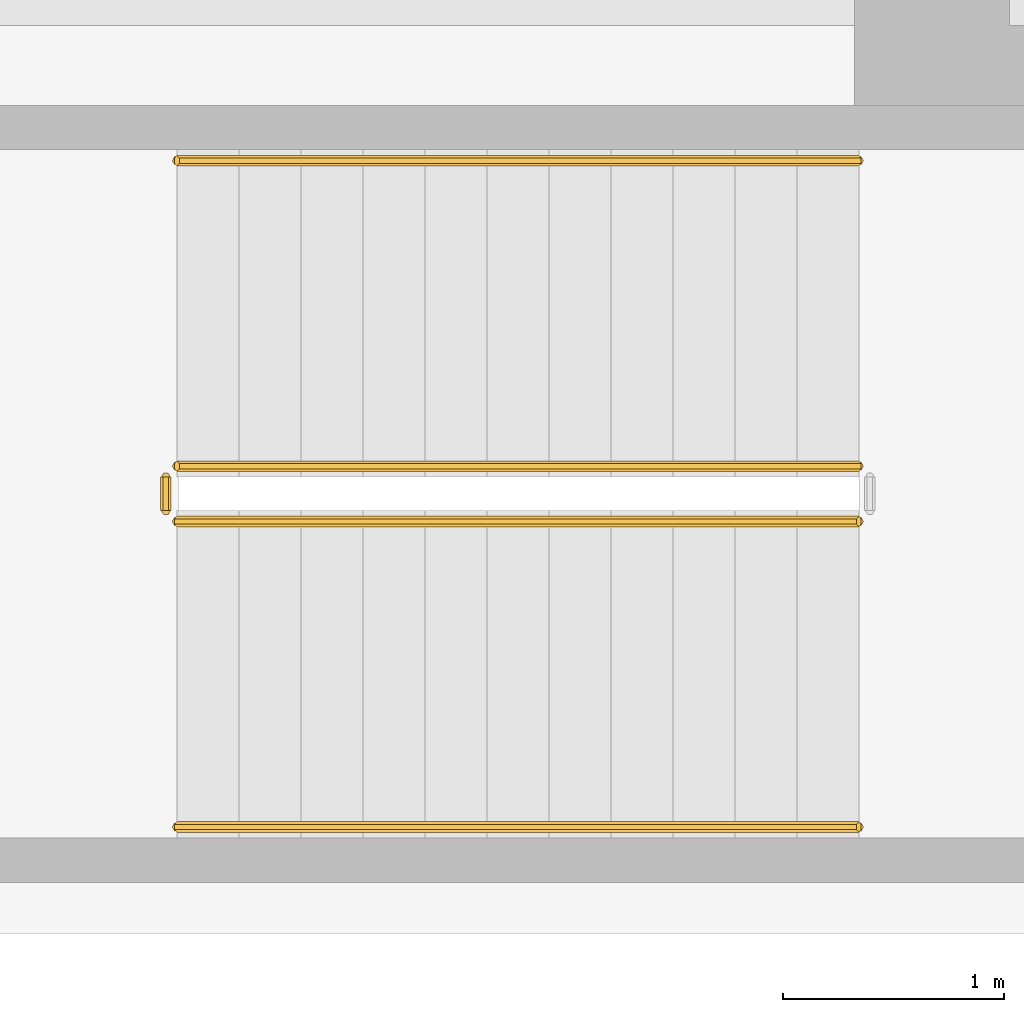
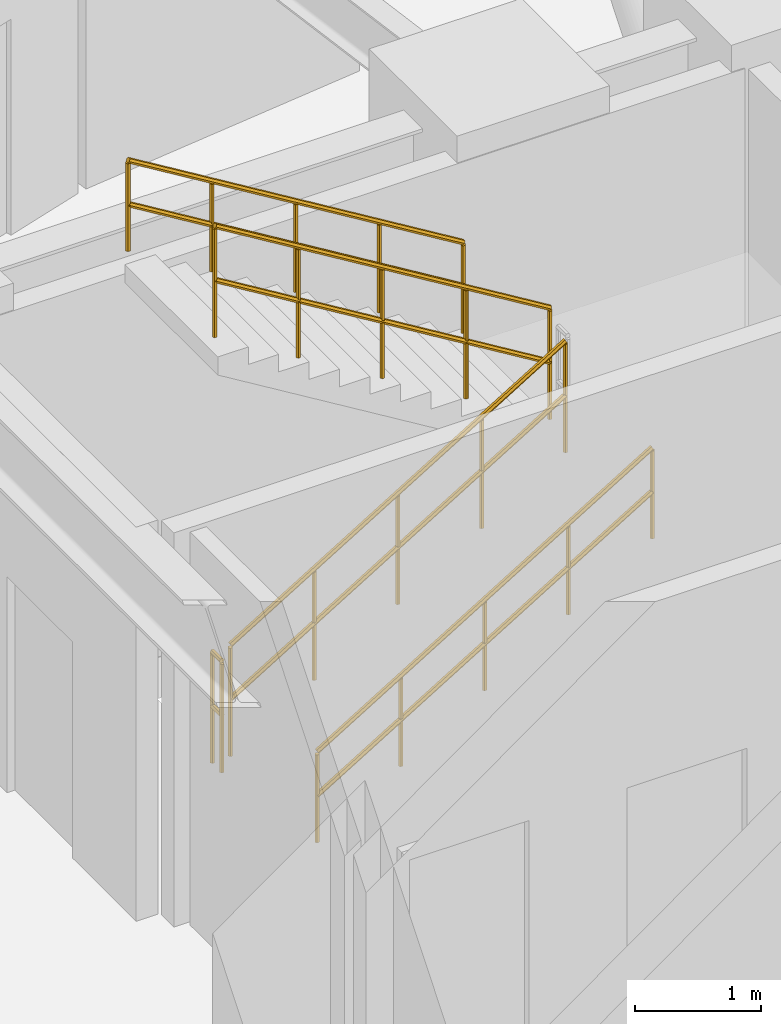
# One storey, part 8 of 10: 5 railings.
"""IFC4 building model written with IfcOpenShell, lengths in metres."""

from ifc_helpers import new_model, si_unit, direction, frame, origin, place, context, subcontext, project, spatial, polyline, outline, extrude, material, type_object, element, save


model = new_model("IFC4")

# Units and contexts
model_context = context("Model", 3, precision=1e-05, world=origin(), true_north=direction((0.0, 1.0)))
body_context = subcontext(model_context, "Body", "Model", "MODEL_VIEW")
ifc_project = project(units=[si_unit("LENGTHUNIT", "METRE"), si_unit("AREAUNIT", "SQUARE_METRE"), si_unit("VOLUMEUNIT", "CUBIC_METRE"), si_unit("PLANEANGLEUNIT", "RADIAN"), si_unit("MASSUNIT", "GRAM", prefix="KILO")], contexts=[model_context])

# Site, building, storey
site_placement = place(None, origin())
site = spatial("IfcSite", under=ifc_project, at=site_placement, CompositionType="ELEMENT")
building_placement = place(site_placement, origin())
building = spatial("IfcBuilding", under=site, at=building_placement, Name="Kelanora Arch Commons", CompositionType="ELEMENT")
storey_placement = place(building_placement, frame((0.0, 0.0, 72.260009765625)))
storey = spatial("IfcBuildingStorey", under=building, at=storey_placement, Name="L18", CompositionType="ELEMENT", Elevation=72.260009765625)

# Railings
ifc_material_1 = material(Name="Painted steel stair well guard", Category="steel")
railing_type_1 = type_object("IfcRailingType", Name="RAIL-STAIR-GRD", PredefinedType="GUARDRAIL", material=ifc_material_1)
railing_1_placement = place(storey_placement, frame((67.719970703125, 62.610107421875, 0.17041015625)))
element("IfcRailing", 1, at=railing_1_placement, inside=storey, type_object=railing_type_1, Name="L18 ST-T1 stair guard 1", PredefinedType="GUARDRAIL", context=body_context, shape_type="SweptSolid", body=[
    extrude(outline(polyline([(0.02392578125, 0.0), (0.011962890625, 0.020751953125), (-0.011962890625, 0.020751953125), (-0.02392578125, 0.0), (-0.011962890625, -0.020751953125), (0.011962890625, -0.020751953125), (0.02392578125, 0.0)])), frame((0.0, 0.0, 1.076171875), z_axis=(0.854237778674, 0.0, 0.51988250354), x_axis=(0.0, 1.0, 0.0)), (0.0, 0.0, 1.0), 3.605712890625),
    extrude(outline(polyline([(0.02392578125, 0.0), (0.011962890625, 0.020751953125), (-0.011962890625, 0.020751953125), (-0.02392578125, 0.0), (-0.011962890625, -0.020751953125), (0.011962890625, -0.020751953125), (0.02392578125, 0.0)])), frame((0.0, 0.0, 0.550048828125), z_axis=(0.854237778674, 0.0, 0.51988250354), x_axis=(0.0, 1.0, 0.0)), (0.0, 0.0, 1.0), 3.605712890625),
    extrude(outline(polyline([(0.02099609375, 0.0), (0.010498046875, 0.01806640625), (-0.010498046875, 0.01806640625), (-0.02099609375, 0.0), (-0.010498046875, -0.01806640625), (0.010498046875, -0.01806640625), (0.02099609375, 0.0)])), origin(), (0.0, 0.0, 1.0), 1.052001953125),
    extrude(outline(polyline([(0.02099609375, 0.0), (0.010498046875, 0.01806640625), (-0.010498046875, 0.01806640625), (-0.02099609375, 0.0), (-0.010498046875, -0.01806640625), (0.010498046875, -0.01806640625), (0.02099609375, 0.0)])), frame((0.77001953125, 0.0, 0.46875)), (0.0, 0.0, 1.0), 1.052001953125),
    extrude(outline(polyline([(0.02099609375, 0.0), (0.010498046875, 0.01806640625), (-0.010498046875, 0.01806640625), (-0.02099609375, 0.0), (-0.010498046875, -0.01806640625), (0.010498046875, -0.01806640625), (0.02099609375, 0.0)])), frame((1.5400390625, 0.0, 0.937255859375)), (0.0, 0.0, 1.0), 1.052001953125),
    extrude(outline(polyline([(0.02099609375, 0.0), (0.010498046875, 0.01806640625), (-0.010498046875, 0.01806640625), (-0.02099609375, 0.0), (-0.010498046875, -0.01806640625), (0.010498046875, -0.01806640625), (0.02099609375, 0.0)])), frame((2.31005859375, 0.0, 1.40576171875)), (0.0, 0.0, 1.0), 1.052001953125),
    extrude(outline(polyline([(0.02099609375, 0.0), (0.010498046875, 0.01806640625), (-0.010498046875, 0.01806640625), (-0.02099609375, 0.0), (-0.010498046875, -0.01806640625), (0.010498046875, -0.01806640625), (0.02099609375, 0.0)])), frame((3.080078125, 0.0, 1.87451171875)), (0.0, 0.0, 1.0), 1.052001953125),
])
railing_2_placement = place(storey_placement, frame((70.800048828125, 62.860107421875, 2.21533203125)))
element("IfcRailing", 2, at=railing_2_placement, inside=storey, type_object=railing_type_1, Name="L18 ST-T1 stair guard 3", PredefinedType="GUARDRAIL", context=body_context, shape_type="SweptSolid", body=[
    extrude(outline(polyline([(0.02392578125, 0.0), (0.011962890625, 0.020751953125), (-0.011962890625, 0.020751953125), (-0.02392578125, 0.0), (-0.011962890625, -0.020751953125), (0.011962890625, -0.020751953125), (0.02392578125, 0.0)])), frame((0.0, 0.0, 1.076171875), z_axis=(-0.854207707774, 0.0, 0.519931910907), x_axis=(0.0, -1.0, 0.0)), (0.0, 0.0, 1.0), 3.605712890625),
    extrude(outline(polyline([(0.02392578125, 0.0), (0.011962890625, 0.020751953125), (-0.011962890625, 0.020751953125), (-0.02392578125, 0.0), (-0.011962890625, -0.020751953125), (0.011962890625, -0.020751953125), (0.02392578125, 0.0)])), frame((0.0, 0.0, 0.550048828125), z_axis=(-0.854207707774, 0.0, 0.519931910907), x_axis=(0.0, -1.0, 0.0)), (0.0, 0.0, 1.0), 3.605712890625),
    extrude(outline(polyline([(0.02099609375, 0.0), (0.010498046875, 0.01806640625), (-0.010498046875, 0.01806640625), (-0.02099609375, 0.0), (-0.010498046875, -0.01806640625), (0.010498046875, -0.01806640625), (0.02099609375, 0.0)])), origin(), (0.0, 0.0, 1.0), 1.052001953125),
    extrude(outline(polyline([(0.02099609375, 0.0), (0.010498046875, 0.01806640625), (-0.010498046875, 0.01806640625), (-0.02099609375, 0.0), (-0.010498046875, -0.01806640625), (0.010498046875, -0.01806640625), (0.02099609375, 0.0)])), frame((-0.77001953125, 0.0, 0.46875)), (0.0, 0.0, 1.0), 1.052001953125),
    extrude(outline(polyline([(0.02099609375, 0.0), (0.010498046875, 0.01806640625), (-0.010498046875, 0.01806640625), (-0.02099609375, 0.0), (-0.010498046875, -0.01806640625), (0.010498046875, -0.01806640625), (0.02099609375, 0.0)])), frame((-1.5400390625, 0.0, 0.9375)), (0.0, 0.0, 1.0), 1.052001953125),
    extrude(outline(polyline([(0.02099609375, 0.0), (0.010498046875, 0.01806640625), (-0.010498046875, 0.01806640625), (-0.02099609375, 0.0), (-0.010498046875, -0.01806640625), (0.010498046875, -0.01806640625), (0.02099609375, 0.0)])), frame((-2.31005859375, 0.0, 1.406005859375)), (0.0, 0.0, 1.0), 1.052001953125),
    extrude(outline(polyline([(0.02099609375, 0.0), (0.010498046875, 0.01806640625), (-0.010498046875, 0.01806640625), (-0.02099609375, 0.0), (-0.010498046875, -0.01806640625), (0.010498046875, -0.01806640625), (0.02099609375, 0.0)])), frame((-3.080078125, 0.0, 1.874755859375)), (0.0, 0.0, 1.0), 1.052001953125),
])
railing_3_placement = place(storey_placement, frame((67.669921875, 62.659912109375, 0.0)))
element("IfcRailing", 3, at=railing_3_placement, inside=storey, type_object=railing_type_1, Name="L18 ST-T1 stair guard 4", PredefinedType="GUARDRAIL", context=body_context, shape_type="SweptSolid", body=[
    extrude(outline(polyline([(0.02392578125, 0.0), (0.011962890625, 0.020751953125), (-0.011962890625, 0.020751953125), (-0.02392578125, 0.0), (-0.011962890625, -0.020751953125), (0.011962890625, -0.020751953125), (0.02392578125, 0.0)])), frame((0.0, 0.0, 1.076171875), z_axis=(0.0, 1.0, 0.0), x_axis=(-1.0, 0.0, 0.0)), (0.0, 0.0, 1.0), 0.150146484375),
    extrude(outline(polyline([(0.02392578125, 0.0), (0.011962890625, 0.020751953125), (-0.011962890625, 0.020751953125), (-0.02392578125, 0.0), (-0.011962890625, -0.020751953125), (0.011962890625, -0.020751953125), (0.02392578125, 0.0)])), frame((0.0, 0.0, 0.550048828125), z_axis=(0.0, 1.0, 0.0), x_axis=(-1.0, 0.0, 0.0)), (0.0, 0.0, 1.0), 0.150146484375),
    extrude(outline(polyline([(0.02099609375, 0.0), (0.010498046875, 0.01806640625), (-0.010498046875, 0.01806640625), (-0.02099609375, 0.0), (-0.010498046875, -0.01806640625), (0.010498046875, -0.01806640625), (0.02099609375, 0.0)])), origin(), (0.0, 0.0, 1.0), 1.052001953125),
    extrude(outline(polyline([(0.02099609375, 0.0), (0.010498046875, 0.01806640625), (-0.010498046875, 0.01806640625), (-0.02099609375, 0.0), (-0.010498046875, -0.01806640625), (0.010498046875, -0.01806640625), (0.02099609375, 0.0)])), frame((0.0, 0.150146484375, 0.0)), (0.0, 0.0, 1.0), 1.052001953125),
])
ifc_material_2 = material(Name="Brushed stainless steel stair handrail", Category="steel")
railing_type_2 = type_object("IfcRailingType", Name="RAIL-STAIR-HND", PredefinedType="HANDRAIL", material=ifc_material_2)
railing_4_placement = place(storey_placement, frame((67.719970703125, 61.22998046875, 0.17041015625)))
element("IfcRailing", 4, at=railing_4_placement, inside=storey, type_object=railing_type_2, Name="L18 ST-T1 stair handrail 1", PredefinedType="HANDRAIL", context=body_context, shape_type="SweptSolid", body=[
    extrude(outline(polyline([(0.02392578125, 0.0), (0.011962890625, 0.020751953125), (-0.011962890625, 0.020751953125), (-0.02392578125, 0.0), (-0.011962890625, -0.020751953125), (0.011962890625, -0.020751953125), (0.02392578125, 0.0)])), frame((0.0, 0.0, 0.8759765625), z_axis=(0.854237778674, 0.0, 0.51988250354), x_axis=(0.0, 1.0, 0.0)), (0.0, 0.0, 1.0), 3.605712890625),
    extrude(outline(polyline([(0.02392578125, 0.0), (0.011962890625, 0.020751953125), (-0.011962890625, 0.020751953125), (-0.02392578125, 0.0), (-0.011962890625, -0.020751953125), (0.011962890625, -0.020751953125), (0.02392578125, 0.0)])), frame((0.0, 0.0, 0.449951171875), z_axis=(0.854237778674, 0.0, 0.51988250354), x_axis=(0.0, 1.0, 0.0)), (0.0, 0.0, 1.0), 3.605712890625),
    extrude(outline(polyline([(0.02099609375, 0.0), (0.010498046875, 0.01806640625), (-0.010498046875, 0.01806640625), (-0.02099609375, 0.0), (-0.010498046875, -0.01806640625), (0.010498046875, -0.01806640625), (0.02099609375, 0.0)])), origin(), (0.0, 0.0, 1.0), 0.851806640625),
    extrude(outline(polyline([(0.02099609375, 0.0), (0.010498046875, 0.01806640625), (-0.010498046875, 0.01806640625), (-0.02099609375, 0.0), (-0.010498046875, -0.01806640625), (0.010498046875, -0.01806640625), (0.02099609375, 0.0)])), frame((0.77001953125, 0.0, 0.46875)), (0.0, 0.0, 1.0), 0.851806640625),
    extrude(outline(polyline([(0.02099609375, 0.0), (0.010498046875, 0.01806640625), (-0.010498046875, 0.01806640625), (-0.02099609375, 0.0), (-0.010498046875, -0.01806640625), (0.010498046875, -0.01806640625), (0.02099609375, 0.0)])), frame((1.5400390625, 0.0, 0.937255859375)), (0.0, 0.0, 1.0), 0.851806640625),
    extrude(outline(polyline([(0.02099609375, 0.0), (0.010498046875, 0.01806640625), (-0.010498046875, 0.01806640625), (-0.02099609375, 0.0), (-0.010498046875, -0.01806640625), (0.010498046875, -0.01806640625), (0.02099609375, 0.0)])), frame((2.31005859375, 0.0, 1.40576171875)), (0.0, 0.0, 1.0), 0.851806640625),
    extrude(outline(polyline([(0.02099609375, 0.0), (0.010498046875, 0.01806640625), (-0.010498046875, 0.01806640625), (-0.02099609375, 0.0), (-0.010498046875, -0.01806640625), (0.010498046875, -0.01806640625), (0.02099609375, 0.0)])), frame((3.080078125, 0.0, 1.87451171875)), (0.0, 0.0, 1.0), 0.851806640625),
])
railing_5_placement = place(storey_placement, frame((70.800048828125, 64.239990234375, 2.21533203125)))
element("IfcRailing", 5, at=railing_5_placement, inside=storey, type_object=railing_type_2, Name="L18 ST-T1 stair handrail 2", PredefinedType="HANDRAIL", context=body_context, shape_type="SweptSolid", body=[
    extrude(outline(polyline([(0.02392578125, 0.0), (0.011962890625, 0.020751953125), (-0.011962890625, 0.020751953125), (-0.02392578125, 0.0), (-0.011962890625, -0.020751953125), (0.011962890625, -0.020751953125), (0.02392578125, 0.0)])), frame((0.0, 0.0, 0.8759765625), z_axis=(-0.854207707774, 0.0, 0.519931910907), x_axis=(0.0, -1.0, 0.0)), (0.0, 0.0, 1.0), 3.605712890625),
    extrude(outline(polyline([(0.02392578125, 0.0), (0.011962890625, 0.020751953125), (-0.011962890625, 0.020751953125), (-0.02392578125, 0.0), (-0.011962890625, -0.020751953125), (0.011962890625, -0.020751953125), (0.02392578125, 0.0)])), frame((0.0, 0.0, 0.449951171875), z_axis=(-0.854207707774, 0.0, 0.519931910907), x_axis=(0.0, -1.0, 0.0)), (0.0, 0.0, 1.0), 3.605712890625),
    extrude(outline(polyline([(0.02099609375, 0.0), (0.010498046875, 0.01806640625), (-0.010498046875, 0.01806640625), (-0.02099609375, 0.0), (-0.010498046875, -0.01806640625), (0.010498046875, -0.01806640625), (0.02099609375, 0.0)])), origin(), (0.0, 0.0, 1.0), 0.851806640625),
    extrude(outline(polyline([(0.02099609375, 0.0), (0.010498046875, 0.01806640625), (-0.010498046875, 0.01806640625), (-0.02099609375, 0.0), (-0.010498046875, -0.01806640625), (0.010498046875, -0.01806640625), (0.02099609375, 0.0)])), frame((-0.77001953125, 0.0, 0.46875)), (0.0, 0.0, 1.0), 0.851806640625),
    extrude(outline(polyline([(0.02099609375, 0.0), (0.010498046875, 0.01806640625), (-0.010498046875, 0.01806640625), (-0.02099609375, 0.0), (-0.010498046875, -0.01806640625), (0.010498046875, -0.01806640625), (0.02099609375, 0.0)])), frame((-1.5400390625, 0.0, 0.9375)), (0.0, 0.0, 1.0), 0.851806640625),
    extrude(outline(polyline([(0.02099609375, 0.0), (0.010498046875, 0.01806640625), (-0.010498046875, 0.01806640625), (-0.02099609375, 0.0), (-0.010498046875, -0.01806640625), (0.010498046875, -0.01806640625), (0.02099609375, 0.0)])), frame((-2.31005859375, 0.0, 1.406005859375)), (0.0, 0.0, 1.0), 0.851806640625),
    extrude(outline(polyline([(0.02099609375, 0.0), (0.010498046875, 0.01806640625), (-0.010498046875, 0.01806640625), (-0.02099609375, 0.0), (-0.010498046875, -0.01806640625), (0.010498046875, -0.01806640625), (0.02099609375, 0.0)])), frame((-3.080078125, 0.0, 1.874755859375)), (0.0, 0.0, 1.0), 0.851806640625),
])

save(model, "model.ifc")
